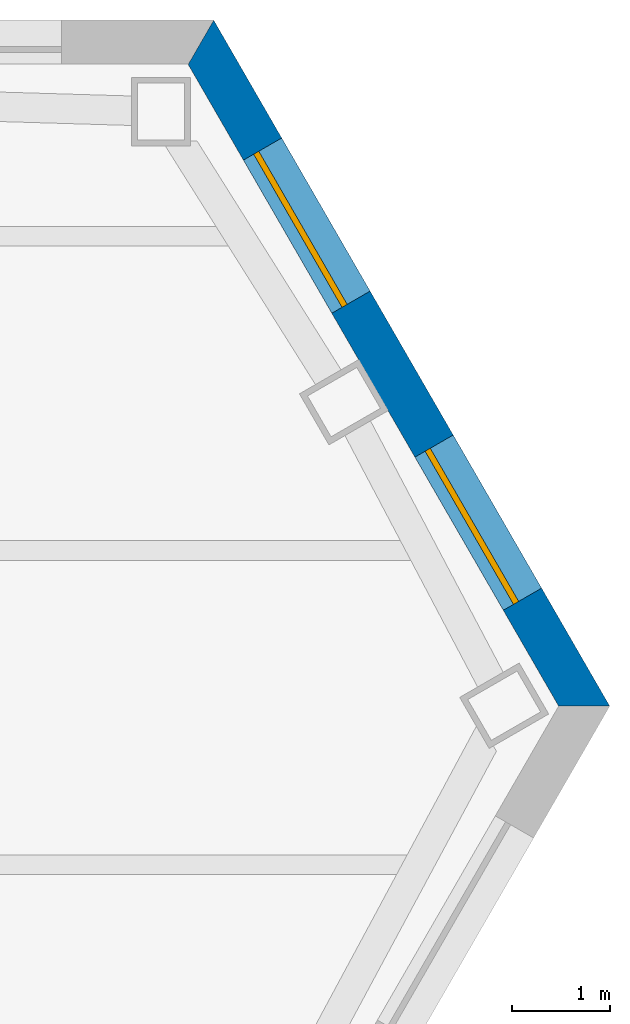
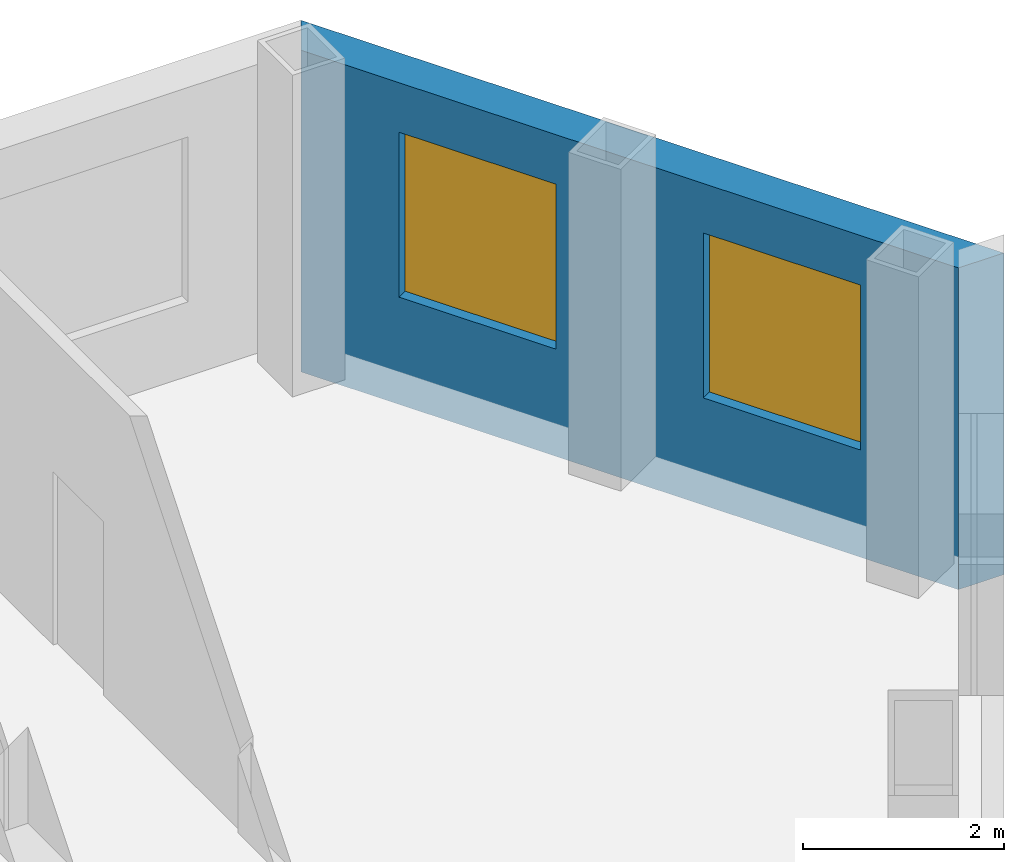
# One storey, part 8 of 11: 2 windows, 1 wall, 2 openings.
"""IFC4 building model written with IfcOpenShell, lengths in metres."""

from ifc_helpers import new_model, si_unit, direction, frame, frame_2d, origin, place, context, subcontext, project, spatial, polyline, rectangle, outline, extrude, material, layer, layer_set, type_object, element, fill, save


model = new_model("IFC4")

# Units and contexts
model_context = context("Model", 3, precision=1e-05, world=origin(), true_north=direction((0.0, 1.0)))
body_context = subcontext(model_context, "Body", "Model", "MODEL_VIEW")
ifc_project = project(units=[si_unit("LENGTHUNIT", "METRE"), si_unit("AREAUNIT", "SQUARE_METRE"), si_unit("VOLUMEUNIT", "CUBIC_METRE"), si_unit("PLANEANGLEUNIT", "RADIAN"), si_unit("MASSUNIT", "GRAM", prefix="KILO")], contexts=[model_context])

# Site, building, storey
site_placement = place(None, origin())
site = spatial("IfcSite", under=ifc_project, at=site_placement, CompositionType="ELEMENT")
building_placement = place(site_placement, origin())
building = spatial("IfcBuilding", under=site, at=building_placement, Name="Njiva Tower", CompositionType="ELEMENT")
storey_placement = place(building_placement, frame((0.0, 0.0, 182.7)))
storey = spatial("IfcBuildingStorey", under=building, at=storey_placement, Name="L40", CompositionType="ELEMENT", Elevation=182.7)

# Wall, openings, windows
ifc_material_1 = material(Name="Brick masonry, buff", Category="masonry")
ifc_layer = layer(ifc_material_1, 0.45)
ifc_layer_set = layer_set([ifc_layer], Name="Brick masonry, buff")
wall_type = type_object("IfcWallType", Name="WT94 Brick pier and spandrel wall 450, buff", PredefinedType="SOLIDWALL", material=ifc_layer_set)
wall_placement = place(storey_placement, frame((26.7714, 13.2177, -0.4), z_axis=(0.0, 0.0, 1.0), x_axis=(-0.500003961136, 0.86602311681, 0.0)))
wall = element("IfcWall", 1, at=wall_placement, inside=storey, type_object=wall_type, Name="Facade wall NE", PredefinedType="SOLIDWALL", context=body_context, shape_type="SweptSolid", body=[
    extrude(outline(polyline([(-0.1299, -0.225), (7.93, -0.225), (7.6702, 0.225), (0.1299, 0.225), (-0.1299, -0.225)])), origin(), (0.0, 0.0, 1.0), 3.9),
])
opening_1_placement = place(wall_placement, frame((1.2544, 0.0, 1.3)))
opening_1 = element("IfcOpeningElement", 2, at=opening_1_placement, cuts=wall, Name="Opening S13-W32", PredefinedType="OPENING", context=body_context, shape_type="SweptSolid", body=[
    extrude(rectangle(XDim=1.8, YDim=2.0, at=frame_2d((0.9, 1.0))), frame((0.0, 0.235, 0.0), z_axis=(0.0, -1.0, 0.0), x_axis=(1.0, 0.0, 0.0)), (0.0, 0.0, 1.0), 0.47),
])
opening_2_placement = place(wall_placement, frame((4.7457, 0.0, 1.3)))
opening_2 = element("IfcOpeningElement", 3, at=opening_2_placement, cuts=wall, Name="Opening S13-W33", PredefinedType="OPENING", context=body_context, shape_type="SweptSolid", body=[
    extrude(rectangle(XDim=1.8, YDim=2.0, at=frame_2d((0.9, 1.0))), frame((0.0, 0.235, 0.0), z_axis=(0.0, -1.0, 0.0), x_axis=(1.0, 0.0, 0.0)), (0.0, 0.0, 1.0), 0.47),
])
ifc_material_2 = material(Name="Clear glazing in aluminium frame", Category="aluminium")
window_type = type_object("IfcWindowType", Name="W94 Deep-set window 1800x2000", PartitioningType="SINGLE_PANEL", PredefinedType="WINDOW", material=ifc_material_2)
window_1_placement = place(opening_1_placement, origin())
window_1 = element("IfcWindow", 4, at=window_1_placement, inside=storey, type_object=window_type, Name="Window", OverallHeight=2.0, OverallWidth=1.8, PartitioningType="SINGLE_PANEL", PredefinedType="WINDOW", context=body_context, shape_type="SweptSolid", body=[
    extrude(rectangle(XDim=1.8, YDim=2.0, at=frame_2d((0.9, 1.0))), frame((0.0, 0.105, 0.0), z_axis=(0.0, -1.0, 0.0), x_axis=(1.0, 0.0, 0.0)), (0.0, 0.0, 1.0), 0.06),
])
fill(opening_1, window_1)
window_2_placement = place(opening_2_placement, origin())
window_2 = element("IfcWindow", 5, at=window_2_placement, inside=storey, type_object=window_type, Name="Window", OverallHeight=2.0, OverallWidth=1.8, PartitioningType="SINGLE_PANEL", PredefinedType="WINDOW", context=body_context, shape_type="SweptSolid", body=[
    extrude(rectangle(XDim=1.8, YDim=2.0, at=frame_2d((0.9, 1.0))), frame((0.0, 0.105, 0.0), z_axis=(0.0, -1.0, 0.0), x_axis=(1.0, 0.0, 0.0)), (0.0, 0.0, 1.0), 0.06),
])
fill(opening_2, window_2)

save(model, "model.ifc")
